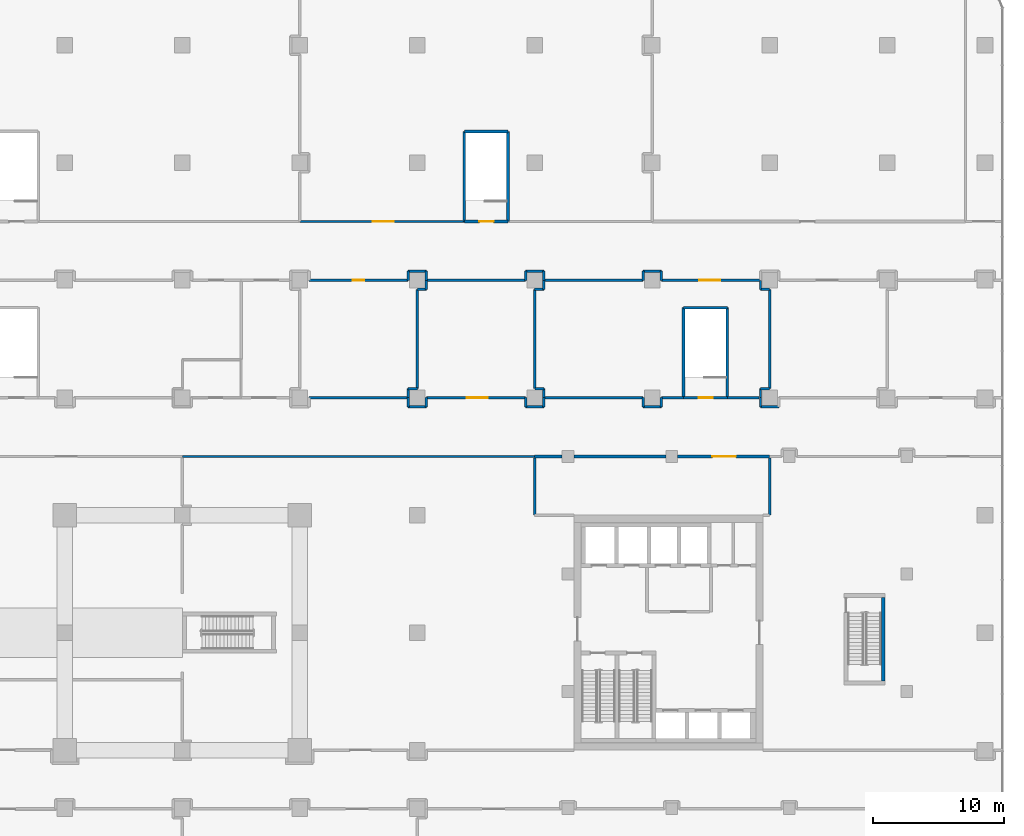
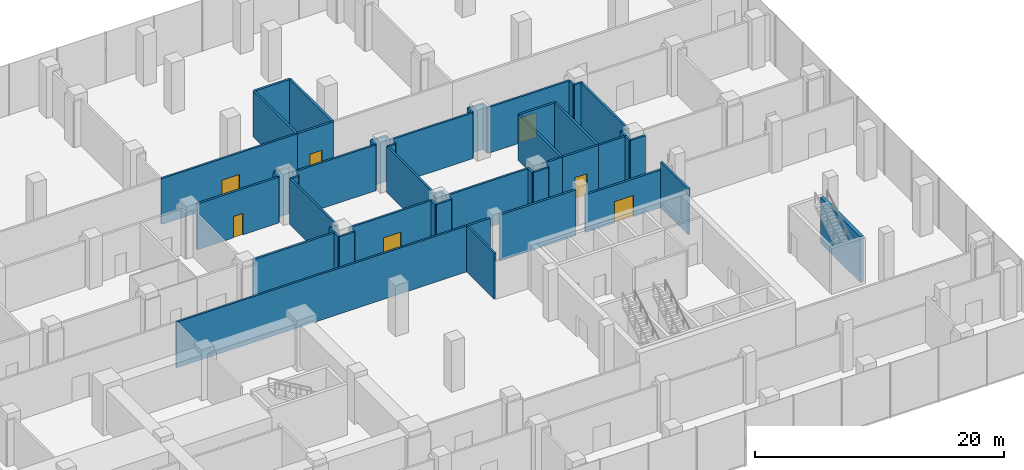
# One storey, part 30 of 36: 60 walls, 7 doors, 7 openings.
"""IFC4 building model written with IfcOpenShell, lengths in metres."""

from ifc_helpers import new_model, si_unit, direction, frame, frame_2d, origin, place, context, subcontext, project, spatial, rectangle, extrude, material, layer, layer_set, type_object, element, fill, save


model = new_model("IFC4")

# Units and contexts
model_context = context("Model", 3, precision=1e-05, world=origin(), true_north=direction((0.0, 1.0)))
body_context = subcontext(model_context, "Body", "Model", "MODEL_VIEW")
ifc_project = project(units=[si_unit("LENGTHUNIT", "METRE"), si_unit("AREAUNIT", "SQUARE_METRE"), si_unit("VOLUMEUNIT", "CUBIC_METRE"), si_unit("PLANEANGLEUNIT", "RADIAN"), si_unit("MASSUNIT", "GRAM", prefix="KILO")], contexts=[model_context])

# Site, building, storey
site_placement = place(None, origin())
site = spatial("IfcSite", under=ifc_project, at=site_placement, CompositionType="ELEMENT")
building_placement = place(site_placement, origin())
building = spatial("IfcBuilding", under=site, at=building_placement, Name="Plateau Cross Towers", CompositionType="ELEMENT")
storey_placement = place(building_placement, frame((0.0, 0.0, 21.800048828125)))
storey = spatial("IfcBuildingStorey", under=building, at=storey_placement, Name="L04", CompositionType="ELEMENT", Elevation=21.800048828125)

# Walls
ifc_material_1 = material(Name="Concrete C60/75", Category="concrete")
ifc_layer_1 = layer(ifc_material_1, 0.300048828125)
ifc_layer_set_1 = layer_set([ifc_layer_1], Name="Concrete C60/75")
wall_type_1 = type_object("IfcWallType", Name="Core shaft wall 300", PredefinedType="SHEAR", material=ifc_layer_set_1)
wall_1_placement = place(storey_placement, frame((98.699951171875, 5.300048828125, 0.0), z_axis=(0.0, 0.0, 1.0), x_axis=(0.0, 1.0, 0.0)))
element("IfcWall", 1, at=wall_1_placement, inside=storey, type_object=wall_type_1, Name="B-sb3-E@L04", PredefinedType="SHEAR", context=body_context, shape_type="SweptSolid", body=[
    extrude(rectangle(XDim=6.39990234375, YDim=0.300048828125, at=frame_2d((3.199951171875, 0.0))), origin(), (0.0, 0.0, 1.0), 4.5),
])
ifc_material_2 = material(Name="Dense masonry block, plastered, acoustic lining", Category="masonry")
ifc_layer_2 = layer(ifc_material_2, 0.179931640625)
ifc_layer_set_2 = layer_set([ifc_layer_2], Name="Dense masonry block, plastered, acoustic lining")
wall_type_2 = type_object("IfcWallType", Name="Plant room acoustic wall 180", PredefinedType="PARTITIONING", material=ifc_layer_set_2)
wall_2_placement = place(storey_placement, frame((72.0, 22.5, 0.0), z_axis=(0.0, 0.0, 1.0), x_axis=(-1.0, 0.0, 0.0)))
element("IfcWall", 2, at=wall_2_placement, inside=storey, type_object=wall_type_2, Name="Partition wall", PredefinedType="PARTITIONING", context=body_context, shape_type="SweptSolid", body=[
    extrude(rectangle(XDim=27.0, YDim=0.179931640625, at=frame_2d((13.5, 0.0))), origin(), (0.0, 0.0, 1.0), 4.5),
])

# Wall, opening, door
wall_3_placement = place(storey_placement, frame((89.300048828125, 36.0, 0.0), z_axis=(0.0, 0.0, 1.0), x_axis=(-1.0, 0.0, 0.0)))
wall_3 = element("IfcWall", 3, at=wall_3_placement, inside=storey, type_object=wall_type_2, Name="Partition wall", PredefinedType="PARTITIONING", context=body_context, shape_type="SweptSolid", body=[
    extrude(rectangle(XDim=7.60009765625, YDim=0.179931640625, at=frame_2d((3.800048828125, 0.0))), origin(), (0.0, 0.0, 1.0), 4.5),
])
opening_1_placement = place(wall_3_placement, frame((3.10009765625, 0.0, 0.0)))
opening_1 = element("IfcOpeningElement", 4, at=opening_1_placement, cuts=wall_3, Name="Opening 04-24", PredefinedType="OPENING", context=body_context, shape_type="SweptSolid", body=[
    extrude(rectangle(XDim=1.60009765625, YDim=2.39990234375, at=frame_2d((0.800048828125, 1.199951171875))), frame((0.0, 0.099853515625, 0.0), z_axis=(0.0, -1.0, 0.0), x_axis=(1.0, 0.0, 0.0)), (0.0, 0.0, 1.0), 0.199951171875),
])
ifc_material_3 = material(Name="Steel, fire-resisting double leaf with louvre panel", Category="steel")
door_type_1 = type_object("IfcDoorType", Name="Plant room double door 1600x2400", OperationType="NOTDEFINED", PredefinedType="DOOR", material=ifc_material_3)
door_1_placement = place(opening_1_placement, origin())
door_1 = element("IfcDoor", 5, at=door_1_placement, inside=storey, type_object=door_type_1, Name="Door 04-24", OperationType="SINGLE_SWING_LEFT", OverallHeight=2.39990234375, OverallWidth=1.60009765625, PredefinedType="DOOR", context=body_context, shape_type="SweptSolid", body=[
    extrude(rectangle(XDim=1.60009765625, YDim=2.39990234375, at=frame_2d((0.800048828125, 1.199951171875))), frame((0.0, 0.02490234375, 0.0), z_axis=(0.0, -1.0, 0.0), x_axis=(1.0, 0.0, 0.0)), (0.0, 0.0, 1.0), 0.050048828125),
])
fill(opening_1, door_1)

# Walls
wall_4_placement = place(storey_placement, frame((81.699951171875, 36.0, 0.0), z_axis=(0.0, 0.0, 1.0), x_axis=(0.0, 1.0, 0.0)))
element("IfcWall", 6, at=wall_4_placement, inside=storey, type_object=wall_type_2, Name="Partition wall", PredefinedType="PARTITIONING", context=body_context, shape_type="SweptSolid", body=[
    extrude(rectangle(XDim=0.699951171875, YDim=0.179931640625, at=frame_2d((0.35009765625, 0.0))), origin(), (0.0, 0.0, 1.0), 4.5),
])
wall_5_placement = place(storey_placement, frame((81.699951171875, 36.699951171875, 0.0), z_axis=(0.0, 0.0, 1.0), x_axis=(-1.0, 0.0, 0.0)))
element("IfcWall", 7, at=wall_5_placement, inside=storey, type_object=wall_type_2, Name="Partition wall", PredefinedType="PARTITIONING", context=body_context, shape_type="SweptSolid", body=[
    extrude(rectangle(XDim=1.39990234375, YDim=0.179931640625, at=frame_2d((0.699951171875, 0.0))), origin(), (0.0, 0.0, 1.0), 4.5),
])
wall_6_placement = place(storey_placement, frame((80.300048828125, 36.699951171875, 0.0), z_axis=(0.0, 0.0, 1.0), x_axis=(0.0, -1.0, 0.0)))
element("IfcWall", 8, at=wall_6_placement, inside=storey, type_object=wall_type_2, Name="Partition wall", PredefinedType="PARTITIONING", context=body_context, shape_type="SweptSolid", body=[
    extrude(rectangle(XDim=0.699951171875, YDim=0.179931640625, at=frame_2d((0.35009765625, 0.0))), origin(), (0.0, 0.0, 1.0), 4.5),
])
wall_7_placement = place(storey_placement, frame((80.300048828125, 36.0, 0.0), z_axis=(0.0, 0.0, 1.0), x_axis=(-1.0, 0.0, 0.0)))
element("IfcWall", 9, at=wall_7_placement, inside=storey, type_object=wall_type_2, Name="Partition wall", PredefinedType="PARTITIONING", context=body_context, shape_type="SweptSolid", body=[
    extrude(rectangle(XDim=7.60009765625, YDim=0.179931640625, at=frame_2d((3.800048828125, 0.0))), origin(), (0.0, 0.0, 1.0), 4.5),
])
wall_8_placement = place(storey_placement, frame((62.300048828125, 27.0, 0.0), z_axis=(0.0, 0.0, 1.0), x_axis=(0.0, -1.0, 0.0)))
element("IfcWall", 10, at=wall_8_placement, inside=storey, type_object=wall_type_2, Name="Partition wall", PredefinedType="PARTITIONING", context=body_context, shape_type="SweptSolid", body=[
    extrude(rectangle(XDim=0.699951171875, YDim=0.179931640625, at=frame_2d((0.35009765625, 0.0))), origin(), (0.0, 0.0, 1.0), 4.5),
])
wall_9_placement = place(storey_placement, frame((62.300048828125, 26.300048828125, 0.0), z_axis=(0.0, 0.0, 1.0), x_axis=(1.0, 0.0, 0.0)))
element("IfcWall", 11, at=wall_9_placement, inside=storey, type_object=wall_type_2, Name="Partition wall", PredefinedType="PARTITIONING", context=body_context, shape_type="SweptSolid", body=[
    extrude(rectangle(XDim=1.39990234375, YDim=0.179931640625, at=frame_2d((0.699951171875, 0.0))), origin(), (0.0, 0.0, 1.0), 4.5),
])
wall_10_placement = place(storey_placement, frame((63.699951171875, 26.300048828125, 0.0), z_axis=(0.0, 0.0, 1.0), x_axis=(0.0, 1.0, 0.0)))
element("IfcWall", 12, at=wall_10_placement, inside=storey, type_object=wall_type_2, Name="Partition wall", PredefinedType="PARTITIONING", context=body_context, shape_type="SweptSolid", body=[
    extrude(rectangle(XDim=0.699951171875, YDim=0.179931640625, at=frame_2d((0.35009765625, 0.0))), origin(), (0.0, 0.0, 1.0), 4.5),
])

# Wall, opening, door
wall_11_placement = place(storey_placement, frame((63.699951171875, 27.0, 0.0), z_axis=(0.0, 0.0, 1.0), x_axis=(1.0, 0.0, 0.0)))
wall_11 = element("IfcWall", 13, at=wall_11_placement, inside=storey, type_object=wall_type_2, Name="Partition wall", PredefinedType="PARTITIONING", context=body_context, shape_type="SweptSolid", body=[
    extrude(rectangle(XDim=7.60009765625, YDim=0.179931640625, at=frame_2d((3.800048828125, 0.0))), origin(), (0.0, 0.0, 1.0), 4.5),
])
opening_2_placement = place(wall_11_placement, frame((3.10009765625, 0.0, 0.0)))
opening_2 = element("IfcOpeningElement", 14, at=opening_2_placement, cuts=wall_11, Name="Opening 04-23", PredefinedType="OPENING", context=body_context, shape_type="SweptSolid", body=[
    extrude(rectangle(XDim=1.60009765625, YDim=2.39990234375, at=frame_2d((0.800048828125, 1.199951171875))), frame((0.0, 0.099853515625, 0.0), z_axis=(0.0, -1.0, 0.0), x_axis=(1.0, 0.0, 0.0)), (0.0, 0.0, 1.0), 0.199951171875),
])
door_2_placement = place(opening_2_placement, origin())
door_2 = element("IfcDoor", 15, at=door_2_placement, inside=storey, type_object=door_type_1, Name="Door 04-23", OperationType="SINGLE_SWING_LEFT", OverallHeight=2.39990234375, OverallWidth=1.60009765625, PredefinedType="DOOR", context=body_context, shape_type="SweptSolid", body=[
    extrude(rectangle(XDim=1.60009765625, YDim=2.39990234375, at=frame_2d((0.800048828125, 1.199951171875))), frame((0.0, 0.02490234375, 0.0), z_axis=(0.0, -1.0, 0.0), x_axis=(1.0, 0.0, 0.0)), (0.0, 0.0, 1.0), 0.050048828125),
])
fill(opening_2, door_2)

# Walls
wall_12_placement = place(storey_placement, frame((71.300048828125, 27.0, 0.0), z_axis=(0.0, 0.0, 1.0), x_axis=(0.0, -1.0, 0.0)))
element("IfcWall", 16, at=wall_12_placement, inside=storey, type_object=wall_type_2, Name="Partition wall", PredefinedType="PARTITIONING", context=body_context, shape_type="SweptSolid", body=[
    extrude(rectangle(XDim=0.699951171875, YDim=0.179931640625, at=frame_2d((0.35009765625, 0.0))), origin(), (0.0, 0.0, 1.0), 4.5),
])
wall_13_placement = place(storey_placement, frame((71.300048828125, 26.300048828125, 0.0), z_axis=(0.0, 0.0, 1.0), x_axis=(1.0, 0.0, 0.0)))
element("IfcWall", 17, at=wall_13_placement, inside=storey, type_object=wall_type_2, Name="Partition wall", PredefinedType="PARTITIONING", context=body_context, shape_type="SweptSolid", body=[
    extrude(rectangle(XDim=1.39990234375, YDim=0.179931640625, at=frame_2d((0.699951171875, 0.0))), origin(), (0.0, 0.0, 1.0), 4.5),
])
wall_14_placement = place(storey_placement, frame((72.699951171875, 26.300048828125, 0.0), z_axis=(0.0, 0.0, 1.0), x_axis=(0.0, 1.0, 0.0)))
element("IfcWall", 18, at=wall_14_placement, inside=storey, type_object=wall_type_2, Name="Partition wall", PredefinedType="PARTITIONING", context=body_context, shape_type="SweptSolid", body=[
    extrude(rectangle(XDim=0.699951171875, YDim=0.179931640625, at=frame_2d((0.35009765625, 0.0))), origin(), (0.0, 0.0, 1.0), 4.5),
])

# Wall, opening, door
wall_15_placement = place(storey_placement, frame((54.0, 40.5, 0.0), z_axis=(0.0, 0.0, 1.0), x_axis=(1.0, 0.0, 0.0)))
wall_15 = element("IfcWall", 19, at=wall_15_placement, inside=storey, type_object=wall_type_2, Name="Partition wall", PredefinedType="PARTITIONING", context=body_context, shape_type="SweptSolid", body=[
    extrude(rectangle(XDim=12.60009765625, YDim=0.179931640625, at=frame_2d((6.300048828125, 0.0))), origin(), (0.0, 0.0, 1.0), 4.5),
])
opening_3_placement = place(wall_15_placement, frame((5.60009765625, 0.0, 0.0)))
opening_3 = element("IfcOpeningElement", 20, at=opening_3_placement, cuts=wall_15, Name="Opening 04-34", PredefinedType="OPENING", context=body_context, shape_type="SweptSolid", body=[
    extrude(rectangle(XDim=1.60009765625, YDim=2.39990234375, at=frame_2d((0.800048828125, 1.199951171875))), frame((0.0, 0.099853515625, 0.0), z_axis=(0.0, -1.0, 0.0), x_axis=(1.0, 0.0, 0.0)), (0.0, 0.0, 1.0), 0.199951171875),
])
door_3_placement = place(opening_3_placement, origin())
door_3 = element("IfcDoor", 21, at=door_3_placement, inside=storey, type_object=door_type_1, Name="Door 04-34", OperationType="SINGLE_SWING_LEFT", OverallHeight=2.39990234375, OverallWidth=1.60009765625, PredefinedType="DOOR", context=body_context, shape_type="SweptSolid", body=[
    extrude(rectangle(XDim=1.60009765625, YDim=2.39990234375, at=frame_2d((0.800048828125, 1.199951171875))), frame((0.0, 0.02490234375, 0.0), z_axis=(0.0, -1.0, 0.0), x_axis=(1.0, 0.0, 0.0)), (0.0, 0.0, 1.0), 0.050048828125),
])
fill(opening_3, door_3)

# Walls
wall_16_placement = place(storey_placement, frame((72.699951171875, 27.0, 0.0), z_axis=(0.0, 0.0, 1.0), x_axis=(1.0, 0.0, 0.0)))
element("IfcWall", 22, at=wall_16_placement, inside=storey, type_object=wall_type_2, Name="Partition wall", PredefinedType="PARTITIONING", context=body_context, shape_type="SweptSolid", body=[
    extrude(rectangle(XDim=7.60009765625, YDim=0.179931640625, at=frame_2d((3.800048828125, 0.0))), origin(), (0.0, 0.0, 1.0), 4.5),
])
wall_17_placement = place(storey_placement, frame((80.300048828125, 27.0, 0.0), z_axis=(0.0, 0.0, 1.0), x_axis=(0.0, -1.0, 0.0)))
element("IfcWall", 23, at=wall_17_placement, inside=storey, type_object=wall_type_2, Name="Partition wall", PredefinedType="PARTITIONING", context=body_context, shape_type="SweptSolid", body=[
    extrude(rectangle(XDim=0.699951171875, YDim=0.179931640625, at=frame_2d((0.35009765625, 0.0))), origin(), (0.0, 0.0, 1.0), 4.5),
])
wall_18_placement = place(storey_placement, frame((80.300048828125, 26.300048828125, 0.0), z_axis=(0.0, 0.0, 1.0), x_axis=(1.0, 0.0, 0.0)))
element("IfcWall", 24, at=wall_18_placement, inside=storey, type_object=wall_type_2, Name="Partition wall", PredefinedType="PARTITIONING", context=body_context, shape_type="SweptSolid", body=[
    extrude(rectangle(XDim=1.39990234375, YDim=0.179931640625, at=frame_2d((0.699951171875, 0.0))), origin(), (0.0, 0.0, 1.0), 4.5),
])
wall_19_placement = place(storey_placement, frame((81.699951171875, 26.300048828125, 0.0), z_axis=(0.0, 0.0, 1.0), x_axis=(0.0, 1.0, 0.0)))
element("IfcWall", 25, at=wall_19_placement, inside=storey, type_object=wall_type_2, Name="Partition wall", PredefinedType="PARTITIONING", context=body_context, shape_type="SweptSolid", body=[
    extrude(rectangle(XDim=0.699951171875, YDim=0.179931640625, at=frame_2d((0.35009765625, 0.0))), origin(), (0.0, 0.0, 1.0), 4.5),
])
wall_20_placement = place(storey_placement, frame((81.699951171875, 27.0, 0.0), z_axis=(0.0, 0.0, 1.0), x_axis=(1.0, 0.0, 0.0)))
element("IfcWall", 26, at=wall_20_placement, inside=storey, type_object=wall_type_2, Name="Partition wall", PredefinedType="PARTITIONING", context=body_context, shape_type="SweptSolid", body=[
    extrude(rectangle(XDim=1.699951171875, YDim=0.179931640625, at=frame_2d((0.85009765625, 0.0))), origin(), (0.0, 0.0, 1.0), 4.5),
])
wall_21_placement = place(storey_placement, frame((72.699951171875, 36.0, 0.0), z_axis=(0.0, 0.0, 1.0), x_axis=(0.0, 1.0, 0.0)))
element("IfcWall", 27, at=wall_21_placement, inside=storey, type_object=wall_type_2, Name="Partition wall", PredefinedType="PARTITIONING", context=body_context, shape_type="SweptSolid", body=[
    extrude(rectangle(XDim=0.699951171875, YDim=0.179931640625, at=frame_2d((0.35009765625, 0.0))), origin(), (0.0, 0.0, 1.0), 4.5),
])
wall_22_placement = place(storey_placement, frame((72.699951171875, 36.699951171875, 0.0), z_axis=(0.0, 0.0, 1.0), x_axis=(-1.0, 0.0, 0.0)))
element("IfcWall", 28, at=wall_22_placement, inside=storey, type_object=wall_type_2, Name="Partition wall", PredefinedType="PARTITIONING", context=body_context, shape_type="SweptSolid", body=[
    extrude(rectangle(XDim=1.39990234375, YDim=0.179931640625, at=frame_2d((0.699951171875, 0.0))), origin(), (0.0, 0.0, 1.0), 4.5),
])
wall_23_placement = place(storey_placement, frame((71.300048828125, 36.699951171875, 0.0), z_axis=(0.0, 0.0, 1.0), x_axis=(0.0, -1.0, 0.0)))
element("IfcWall", 29, at=wall_23_placement, inside=storey, type_object=wall_type_2, Name="Partition wall", PredefinedType="PARTITIONING", context=body_context, shape_type="SweptSolid", body=[
    extrude(rectangle(XDim=0.699951171875, YDim=0.179931640625, at=frame_2d((0.35009765625, 0.0))), origin(), (0.0, 0.0, 1.0), 4.5),
])
wall_24_placement = place(storey_placement, frame((71.300048828125, 36.0, 0.0), z_axis=(0.0, 0.0, 1.0), x_axis=(-1.0, 0.0, 0.0)))
element("IfcWall", 30, at=wall_24_placement, inside=storey, type_object=wall_type_2, Name="Partition wall", PredefinedType="PARTITIONING", context=body_context, shape_type="SweptSolid", body=[
    extrude(rectangle(XDim=7.60009765625, YDim=0.179931640625, at=frame_2d((3.800048828125, 0.0))), origin(), (0.0, 0.0, 1.0), 4.5),
])
for number, where, z_axis, x_axis, name in (
    (31, (89.300048828125, 36.0, 0.0), (0.0, 0.0, 1.0), (0.0, -1.0, 0.0), "Partition wall"),
    (32, (89.300048828125, 35.300048828125, 0.0), (0.0, 0.0, 1.0), (1.0, 0.0, 0.0), "Partition wall"),
):
    element("IfcWall", number, at=place(storey_placement, frame(where, z_axis=z_axis, x_axis=x_axis)), inside=storey, type_object=wall_type_2, Name=name, PredefinedType="PARTITIONING", context=body_context, shape_type="SweptSolid", body=[
        extrude(rectangle(XDim=0.699951171875, YDim=0.179931640625, at=frame_2d((0.35009765625, 0.0))), origin(), (0.0, 0.0, 1.0), 4.5),
    ])
wall_25_placement = place(storey_placement, frame((90.0, 35.300048828125, 0.0), z_axis=(0.0, 0.0, 1.0), x_axis=(0.0, -1.0, 0.0)))
element("IfcWall", 33, at=wall_25_placement, inside=storey, type_object=wall_type_2, Name="Partition wall", PredefinedType="PARTITIONING", context=body_context, shape_type="SweptSolid", body=[
    extrude(rectangle(XDim=7.60009765625, YDim=0.179931640625, at=frame_2d((3.800048828125, 0.0))), origin(), (0.0, 0.0, 1.0), 4.5),
])
for number, where, z_axis, x_axis, name in (
    (34, (90.0, 27.699951171875, 0.0), (0.0, 0.0, 1.0), (-1.0, 0.0, 0.0), "Partition wall"),
    (35, (89.300048828125, 27.699951171875, 0.0), (0.0, 0.0, 1.0), (0.0, -1.0, 0.0), "Partition wall"),
    (36, (89.300048828125, 27.0, 0.0), (0.0, 0.0, 1.0), (0.0, -1.0, 0.0), "Partition wall"),
):
    element("IfcWall", number, at=place(storey_placement, frame(where, z_axis=z_axis, x_axis=x_axis)), inside=storey, type_object=wall_type_2, Name=name, PredefinedType="PARTITIONING", context=body_context, shape_type="SweptSolid", body=[
        extrude(rectangle(XDim=0.699951171875, YDim=0.179931640625, at=frame_2d((0.35009765625, 0.0))), origin(), (0.0, 0.0, 1.0), 4.5),
    ])
wall_26_placement = place(storey_placement, frame((89.300048828125, 26.300048828125, 0.0), z_axis=(0.0, 0.0, 1.0), x_axis=(1.0, 0.0, 0.0)))
element("IfcWall", 37, at=wall_26_placement, inside=storey, type_object=wall_type_2, Name="Partition wall", PredefinedType="PARTITIONING", context=body_context, shape_type="SweptSolid", body=[
    extrude(rectangle(XDim=1.39990234375, YDim=0.179931640625, at=frame_2d((0.699951171875, 0.0))), origin(), (0.0, 0.0, 1.0), 4.5),
])
for number, where, z_axis, x_axis, name in (
    (38, (63.699951171875, 36.0, 0.0), (0.0, 0.0, 1.0), (0.0, -1.0, 0.0), "Partition wall"),
    (39, (63.699951171875, 35.300048828125, 0.0), (0.0, 0.0, 1.0), (-1.0, 0.0, 0.0), "Partition wall"),
):
    element("IfcWall", number, at=place(storey_placement, frame(where, z_axis=z_axis, x_axis=x_axis)), inside=storey, type_object=wall_type_2, Name=name, PredefinedType="PARTITIONING", context=body_context, shape_type="SweptSolid", body=[
        extrude(rectangle(XDim=0.699951171875, YDim=0.179931640625, at=frame_2d((0.35009765625, 0.0))), origin(), (0.0, 0.0, 1.0), 4.5),
    ])
wall_27_placement = place(storey_placement, frame((63.0, 35.300048828125, 0.0), z_axis=(0.0, 0.0, 1.0), x_axis=(0.0, -1.0, 0.0)))
element("IfcWall", 40, at=wall_27_placement, inside=storey, type_object=wall_type_2, Name="Partition wall", PredefinedType="PARTITIONING", context=body_context, shape_type="SweptSolid", body=[
    extrude(rectangle(XDim=7.60009765625, YDim=0.179931640625, at=frame_2d((3.800048828125, 0.0))), origin(), (0.0, 0.0, 1.0), 4.5),
])
for number, where, z_axis, x_axis, name in (
    (41, (63.0, 27.699951171875, 0.0), (0.0, 0.0, 1.0), (-1.0, 0.0, 0.0), "Partition wall"),
    (42, (62.300048828125, 27.699951171875, 0.0), (0.0, 0.0, 1.0), (0.0, -1.0, 0.0), "Partition wall"),
    (43, (72.699951171875, 36.0, 0.0), (0.0, 0.0, 1.0), (0.0, -1.0, 0.0), "Partition wall"),
    (44, (72.699951171875, 35.300048828125, 0.0), (0.0, 0.0, 1.0), (-1.0, 0.0, 0.0), "Partition wall"),
):
    element("IfcWall", number, at=place(storey_placement, frame(where, z_axis=z_axis, x_axis=x_axis)), inside=storey, type_object=wall_type_2, Name=name, PredefinedType="PARTITIONING", context=body_context, shape_type="SweptSolid", body=[
        extrude(rectangle(XDim=0.699951171875, YDim=0.179931640625, at=frame_2d((0.35009765625, 0.0))), origin(), (0.0, 0.0, 1.0), 4.5),
    ])
wall_28_placement = place(storey_placement, frame((72.0, 35.300048828125, 0.0), z_axis=(0.0, 0.0, 1.0), x_axis=(0.0, -1.0, 0.0)))
element("IfcWall", 45, at=wall_28_placement, inside=storey, type_object=wall_type_2, Name="Partition wall", PredefinedType="PARTITIONING", context=body_context, shape_type="SweptSolid", body=[
    extrude(rectangle(XDim=7.60009765625, YDim=0.179931640625, at=frame_2d((3.800048828125, 0.0))), origin(), (0.0, 0.0, 1.0), 4.5),
])
for number, where, z_axis, x_axis, name in (
    (46, (72.0, 27.699951171875, 0.0), (0.0, 0.0, 1.0), (1.0, 0.0, 0.0), "Partition wall"),
    (47, (72.699951171875, 27.699951171875, 0.0), (0.0, 0.0, 1.0), (0.0, -1.0, 0.0), "Partition wall"),
):
    element("IfcWall", number, at=place(storey_placement, frame(where, z_axis=z_axis, x_axis=x_axis)), inside=storey, type_object=wall_type_2, Name=name, PredefinedType="PARTITIONING", context=body_context, shape_type="SweptSolid", body=[
        extrude(rectangle(XDim=0.699951171875, YDim=0.179931640625, at=frame_2d((0.35009765625, 0.0))), origin(), (0.0, 0.0, 1.0), 4.5),
    ])
for number, where, z_axis, x_axis, name in (
    (48, (72.0, 18.0, 0.0), (0.0, 0.0, 1.0), (0.0, 1.0, 0.0), "Partition wall"),
    (49, (90.0, 22.39990234375, 0.0), (0.0, 0.0, 1.0), (0.0, -1.0, 0.0), "Partition wall"),
):
    element("IfcWall", number, at=place(storey_placement, frame(where, z_axis=z_axis, x_axis=x_axis)), inside=storey, type_object=wall_type_2, Name=name, PredefinedType="PARTITIONING", context=body_context, shape_type="SweptSolid", body=[
        extrude(rectangle(XDim=4.39990234375, YDim=0.179931640625, at=frame_2d((2.199951171875, 0.0))), origin(), (0.0, 0.0, 1.0), 4.5),
    ])
wall_29_placement = place(storey_placement, frame((86.75, 27.0, 0.0), z_axis=(0.0, 0.0, 1.0), x_axis=(1.0, 0.0, 0.0)))
element("IfcWall", 50, at=wall_29_placement, inside=storey, type_object=wall_type_2, Name="Partition wall", PredefinedType="PARTITIONING", context=body_context, shape_type="SweptSolid", body=[
    extrude(rectangle(XDim=2.449951171875, YDim=0.179931640625, at=frame_2d((1.22509765625, 0.0))), origin(), (0.0, 0.0, 1.0), 4.5),
])

# Wall, opening, door
ifc_material_4 = material(Name="Gypsum board on steel studs, two layers each side", Category="steel")
ifc_layer_3 = layer(ifc_material_4, 0.199951171875)
ifc_layer_set_3 = layer_set([ifc_layer_3], Name="Gypsum board on steel studs, two layers each side")
wall_type_3 = type_object("IfcWallType", Name="Podium compartment wall 200", PredefinedType="PARTITIONING", material=ifc_layer_set_3)
wall_30_placement = place(storey_placement, frame((62.300048828125, 36.0, 0.0), z_axis=(0.0, 0.0, 1.0), x_axis=(-1.0, 0.0, 0.0)))
wall_30 = element("IfcWall", 51, at=wall_30_placement, inside=storey, type_object=wall_type_3, Name="Partition wall", PredefinedType="PARTITIONING", context=body_context, shape_type="SweptSolid", body=[
    extrude(rectangle(XDim=7.60009765625, YDim=0.199951171875, at=frame_2d((3.800048828125, 0.0))), origin(), (0.0, 0.0, 1.0), 4.5),
])
opening_4_placement = place(wall_30_placement, frame((3.35009765625, 0.0, 0.0)))
opening_4 = element("IfcOpeningElement", 52, at=opening_4_placement, cuts=wall_30, Name="Opening 04-22", PredefinedType="OPENING", context=body_context, shape_type="SweptSolid", body=[
    extrude(rectangle(XDim=0.89990234375, YDim=2.10009765625, at=frame_2d((0.449951171875, 1.050048828125))), frame((0.0, 0.10986328125, 0.0), z_axis=(0.0, -1.0, 0.0), x_axis=(1.0, 0.0, 0.0)), (0.0, 0.0, 1.0), 0.219970703125),
])
ifc_material_5 = material(Name="Timber, fire-resisting leaf", Category="wood")
door_type_2 = type_object("IfcDoorType", Name="Podium service door 900", OperationType="NOTDEFINED", PredefinedType="DOOR", material=ifc_material_5)
door_4_placement = place(opening_4_placement, origin())
door_4 = element("IfcDoor", 53, at=door_4_placement, inside=storey, type_object=door_type_2, Name="Door 04-22", OperationType="SINGLE_SWING_LEFT", OverallHeight=2.10009765625, OverallWidth=0.89990234375, PredefinedType="DOOR", context=body_context, shape_type="SweptSolid", body=[
    extrude(rectangle(XDim=0.89990234375, YDim=2.10009765625, at=frame_2d((0.449951171875, 1.050048828125))), frame((0.0, 0.02490234375, 0.0), z_axis=(0.0, -1.0, 0.0), x_axis=(1.0, 0.0, 0.0)), (0.0, 0.0, 1.0), 0.050048828125),
])
fill(opening_4, door_4)

ifc_material_6 = material(Name="Gypsum board on steel studs", Category="steel")
ifc_layer_4 = layer(ifc_material_6, 0.199951171875)
ifc_layer_set_4 = layer_set([ifc_layer_4], Name="Gypsum board on steel studs")
wall_type_4 = type_object("IfcWallType", Name="Podium partition 200", PredefinedType="PARTITIONING", material=ifc_layer_set_4)
wall_31_placement = place(storey_placement, frame((90.0, 22.5, 0.0), z_axis=(0.0, 0.0, 1.0), x_axis=(-1.0, 0.0, 0.0)))
wall_31 = element("IfcWall", 54, at=wall_31_placement, inside=storey, type_object=wall_type_4, Name="Partition wall", PredefinedType="PARTITIONING", context=body_context, shape_type="SweptSolid", body=[
    extrude(rectangle(XDim=7.050048828125, YDim=0.199951171875, at=frame_2d((3.52490234375, 0.0))), origin(), (0.0, 0.0, 1.0), 3.699951171875),
])
opening_5_placement = place(wall_31_placement, frame((2.60009765625, 0.0, 0.0)))
opening_5 = element("IfcOpeningElement", 55, at=opening_5_placement, cuts=wall_31, Name="Opening 04-37", PredefinedType="OPENING", context=body_context, shape_type="SweptSolid", body=[
    extrude(rectangle(XDim=1.800048828125, YDim=2.10009765625, at=frame_2d((0.89990234375, 1.050048828125))), frame((0.0, 0.10986328125, 0.0), z_axis=(0.0, -1.0, 0.0), x_axis=(1.0, 0.0, 0.0)), (0.0, 0.0, 1.0), 0.219970703125),
])
ifc_material_7 = material(Name="Aluminium frame, toughened glass", Category="aluminium")
door_type_3 = type_object("IfcDoorType", Name="Podium door pair 1800", OperationType="NOTDEFINED", PredefinedType="DOOR", material=ifc_material_7)
door_5_placement = place(opening_5_placement, origin())
door_5 = element("IfcDoor", 56, at=door_5_placement, inside=storey, type_object=door_type_3, Name="Door 04-37", OperationType="DOUBLE_DOOR_SINGLE_SWING", OverallHeight=2.10009765625, OverallWidth=1.800048828125, PredefinedType="DOOR", context=body_context, shape_type="SweptSolid", body=[
    extrude(rectangle(XDim=1.800048828125, YDim=2.10009765625, at=frame_2d((0.89990234375, 1.050048828125))), frame((0.0, 0.02490234375, 0.0), z_axis=(0.0, -1.0, 0.0), x_axis=(1.0, 0.0, 0.0)), (0.0, 0.0, 1.0), 0.050048828125),
])
fill(opening_5, door_5)

# Walls
wall_32_placement = place(storey_placement, frame((82.050048828125, 22.5, 0.0), z_axis=(0.0, 0.0, 1.0), x_axis=(-1.0, 0.0, 0.0)))
element("IfcWall", 57, at=wall_32_placement, inside=storey, type_object=wall_type_4, Name="Partition wall", PredefinedType="PARTITIONING", context=body_context, shape_type="SweptSolid", body=[
    extrude(rectangle(XDim=7.050048828125, YDim=0.199951171875, at=frame_2d((3.52490234375, 0.0))), origin(), (0.0, 0.0, 1.0), 4.5),
])
wall_33_placement = place(storey_placement, frame((74.10009765625, 22.5, 0.0), z_axis=(0.0, 0.0, 1.0), x_axis=(-1.0, 0.0, 0.0)))
element("IfcWall", 58, at=wall_33_placement, inside=storey, type_object=wall_type_4, Name="Partition wall", PredefinedType="PARTITIONING", context=body_context, shape_type="SweptSolid", body=[
    extrude(rectangle(XDim=2.10009765625, YDim=0.199951171875, at=frame_2d((1.050048828125, 0.0))), origin(), (0.0, 0.0, 1.0), 4.5),
])
wall_34_placement = place(storey_placement, frame((63.699951171875, 36.0, 0.0), z_axis=(0.0, 0.0, 1.0), x_axis=(0.0, 1.0, 0.0)))
element("IfcWall", 59, at=wall_34_placement, inside=storey, type_object=wall_type_4, Name="Partition wall", PredefinedType="PARTITIONING", context=body_context, shape_type="SweptSolid", body=[
    extrude(rectangle(XDim=0.699951171875, YDim=0.199951171875, at=frame_2d((0.35009765625, 0.0))), origin(), (0.0, 0.0, 1.0), 4.5),
])
wall_35_placement = place(storey_placement, frame((63.699951171875, 36.699951171875, 0.0), z_axis=(0.0, 0.0, 1.0), x_axis=(-1.0, 0.0, 0.0)))
element("IfcWall", 60, at=wall_35_placement, inside=storey, type_object=wall_type_4, Name="Partition wall", PredefinedType="PARTITIONING", context=body_context, shape_type="SweptSolid", body=[
    extrude(rectangle(XDim=1.39990234375, YDim=0.199951171875, at=frame_2d((0.699951171875, 0.0))), origin(), (0.0, 0.0, 1.0), 4.5),
])
wall_36_placement = place(storey_placement, frame((62.300048828125, 36.699951171875, 0.0), z_axis=(0.0, 0.0, 1.0), x_axis=(0.0, -1.0, 0.0)))
element("IfcWall", 61, at=wall_36_placement, inside=storey, type_object=wall_type_4, Name="Partition wall", PredefinedType="PARTITIONING", context=body_context, shape_type="SweptSolid", body=[
    extrude(rectangle(XDim=0.699951171875, YDim=0.199951171875, at=frame_2d((0.35009765625, 0.0))), origin(), (0.0, 0.0, 1.0), 4.5),
])
wall_37_placement = place(storey_placement, frame((54.699951171875, 27.0, 0.0), z_axis=(0.0, 0.0, 1.0), x_axis=(1.0, 0.0, 0.0)))
element("IfcWall", 62, at=wall_37_placement, inside=storey, type_object=wall_type_4, Name="Partition wall", PredefinedType="PARTITIONING", context=body_context, shape_type="SweptSolid", body=[
    extrude(rectangle(XDim=7.60009765625, YDim=0.199951171875, at=frame_2d((3.800048828125, 0.0))), origin(), (0.0, 0.0, 1.0), 4.5),
])
ifc_material_8 = material(Name="Fire-rated plasterboard shaft wall system")
ifc_layer_5 = layer(ifc_material_8, 0.199951171875)
ifc_layer_set_5 = layer_set([ifc_layer_5], Name="Fire-rated plasterboard shaft wall system")
wall_type_5 = type_object("IfcWallType", Name="Podium stair shaft wall 200", PredefinedType="PARTITIONING", material=ifc_layer_set_5)
wall_38_placement = place(storey_placement, frame((83.39990234375, 27.0, 0.0), z_axis=(0.0, 0.0, 1.0), x_axis=(0.0, 1.0, 0.0)))
element("IfcWall", 63, at=wall_38_placement, inside=storey, type_object=wall_type_5, Name="Partition wall", PredefinedType="PARTITIONING", context=body_context, shape_type="SweptSolid", body=[
    extrude(rectangle(XDim=6.89990234375, YDim=0.199951171875, at=frame_2d((3.449951171875, 0.0))), origin(), (0.0, 0.0, 1.0), 4.5),
])
wall_39_placement = place(storey_placement, frame((83.39990234375, 33.89990234375, 0.0), z_axis=(0.0, 0.0, 1.0), x_axis=(1.0, 0.0, 0.0)))
element("IfcWall", 64, at=wall_39_placement, inside=storey, type_object=wall_type_5, Name="Partition wall", PredefinedType="PARTITIONING", context=body_context, shape_type="SweptSolid", body=[
    extrude(rectangle(XDim=3.35009765625, YDim=0.199951171875, at=frame_2d((1.675048828125, 0.0))), origin(), (0.0, 0.0, 1.0), 4.5),
])
for number, where, z_axis, x_axis, name in (
    (65, (86.75, 33.89990234375, 0.0), (0.0, 0.0, 1.0), (0.0, -1.0, 0.0), "Partition wall"),
    (66, (66.60009765625, 40.5, 0.0), (0.0, 0.0, 1.0), (0.0, 1.0, 0.0), "Partition wall"),
):
    element("IfcWall", number, at=place(storey_placement, frame(where, z_axis=z_axis, x_axis=x_axis)), inside=storey, type_object=wall_type_5, Name=name, PredefinedType="PARTITIONING", context=body_context, shape_type="SweptSolid", body=[
        extrude(rectangle(XDim=6.89990234375, YDim=0.199951171875, at=frame_2d((3.449951171875, 0.0))), origin(), (0.0, 0.0, 1.0), 4.5),
    ])
wall_40_placement = place(storey_placement, frame((66.60009765625, 47.39990234375, 0.0), z_axis=(0.0, 0.0, 1.0), x_axis=(1.0, 0.0, 0.0)))
element("IfcWall", 67, at=wall_40_placement, inside=storey, type_object=wall_type_5, Name="Partition wall", PredefinedType="PARTITIONING", context=body_context, shape_type="SweptSolid", body=[
    extrude(rectangle(XDim=3.349853515625, YDim=0.199951171875, at=frame_2d((1.6748046875, 0.0))), origin(), (0.0, 0.0, 1.0), 4.5),
])
wall_41_placement = place(storey_placement, frame((69.949951171875, 47.39990234375, 0.0), z_axis=(0.0, 0.0, 1.0), x_axis=(0.0, -1.0, 0.0)))
element("IfcWall", 68, at=wall_41_placement, inside=storey, type_object=wall_type_5, Name="Partition wall", PredefinedType="PARTITIONING", context=body_context, shape_type="SweptSolid", body=[
    extrude(rectangle(XDim=6.89990234375, YDim=0.199951171875, at=frame_2d((3.449951171875, 0.0))), origin(), (0.0, 0.0, 1.0), 4.5),
])

# Wall, opening, door
wall_42_placement = place(storey_placement, frame((69.949951171875, 40.5, 0.0), z_axis=(0.0, 0.0, 1.0), x_axis=(-1.0, 0.0, 0.0)))
wall_42 = element("IfcWall", 69, at=wall_42_placement, inside=storey, type_object=wall_type_5, Name="Partition wall", PredefinedType="PARTITIONING", context=body_context, shape_type="SweptSolid", body=[
    extrude(rectangle(XDim=3.349853515625, YDim=0.199951171875, at=frame_2d((1.6748046875, 0.0))), origin(), (0.0, 0.0, 1.0), 4.5),
])
opening_6_placement = place(wall_42_placement, frame((1.10009765625, 0.0, 0.0)))
opening_6 = element("IfcOpeningElement", 70, at=opening_6_placement, cuts=wall_42, Name="Opening 04-07", PredefinedType="OPENING", context=body_context, shape_type="SweptSolid", body=[
    extrude(rectangle(XDim=1.10009765625, YDim=2.10009765625, at=frame_2d((0.550048828125, 1.050048828125))), frame((0.0, 0.10986328125, 0.0), z_axis=(0.0, -1.0, 0.0), x_axis=(1.0, 0.0, 0.0)), (0.0, 0.0, 1.0), 0.219970703125),
])
ifc_material_9 = material(Name="Steel, fire-resisting leaf", Category="steel")
door_type_4 = type_object("IfcDoorType", Name="Podium stair door 1100", OperationType="NOTDEFINED", PredefinedType="DOOR", material=ifc_material_9)
door_6_placement = place(opening_6_placement, origin())
door_6 = element("IfcDoor", 71, at=door_6_placement, inside=storey, type_object=door_type_4, Name="Door 04-07", OperationType="SINGLE_SWING_LEFT", OverallHeight=2.10009765625, OverallWidth=1.10009765625, PredefinedType="DOOR", context=body_context, shape_type="SweptSolid", body=[
    extrude(rectangle(XDim=1.10009765625, YDim=2.10009765625, at=frame_2d((0.550048828125, 1.050048828125))), frame((0.0, 0.02490234375, 0.0), z_axis=(0.0, -1.0, 0.0), x_axis=(1.0, 0.0, 0.0)), (0.0, 0.0, 1.0), 0.050048828125),
])
fill(opening_6, door_6)

wall_43_placement = place(storey_placement, frame((86.75, 27.0, 0.0), z_axis=(0.0, 0.0, 1.0), x_axis=(-1.0, 0.0, 0.0)))
wall_43 = element("IfcWall", 72, at=wall_43_placement, inside=storey, type_object=wall_type_5, Name="Partition wall", PredefinedType="PARTITIONING", context=body_context, shape_type="SweptSolid", body=[
    extrude(rectangle(XDim=3.35009765625, YDim=0.199951171875, at=frame_2d((1.675048828125, 0.0))), origin(), (0.0, 0.0, 1.0), 4.5),
])
opening_7_placement = place(wall_43_placement, frame((1.10009765625, 0.0, 0.0)))
opening_7 = element("IfcOpeningElement", 73, at=opening_7_placement, cuts=wall_43, Name="Opening 04-09", PredefinedType="OPENING", context=body_context, shape_type="SweptSolid", body=[
    extrude(rectangle(XDim=1.10009765625, YDim=2.10009765625, at=frame_2d((0.550048828125, 1.050048828125))), frame((0.0, 0.10986328125, 0.0), z_axis=(0.0, -1.0, 0.0), x_axis=(1.0, 0.0, 0.0)), (0.0, 0.0, 1.0), 0.219970703125),
])
door_7_placement = place(opening_7_placement, origin())
door_7 = element("IfcDoor", 74, at=door_7_placement, inside=storey, type_object=door_type_4, Name="Door 04-09", OperationType="SINGLE_SWING_LEFT", OverallHeight=2.10009765625, OverallWidth=1.10009765625, PredefinedType="DOOR", context=body_context, shape_type="SweptSolid", body=[
    extrude(rectangle(XDim=1.10009765625, YDim=2.10009765625, at=frame_2d((0.550048828125, 1.050048828125))), frame((0.0, 0.02490234375, 0.0), z_axis=(0.0, -1.0, 0.0), x_axis=(1.0, 0.0, 0.0)), (0.0, 0.0, 1.0), 0.050048828125),
])
fill(opening_7, door_7)

save(model, "model.ifc")
